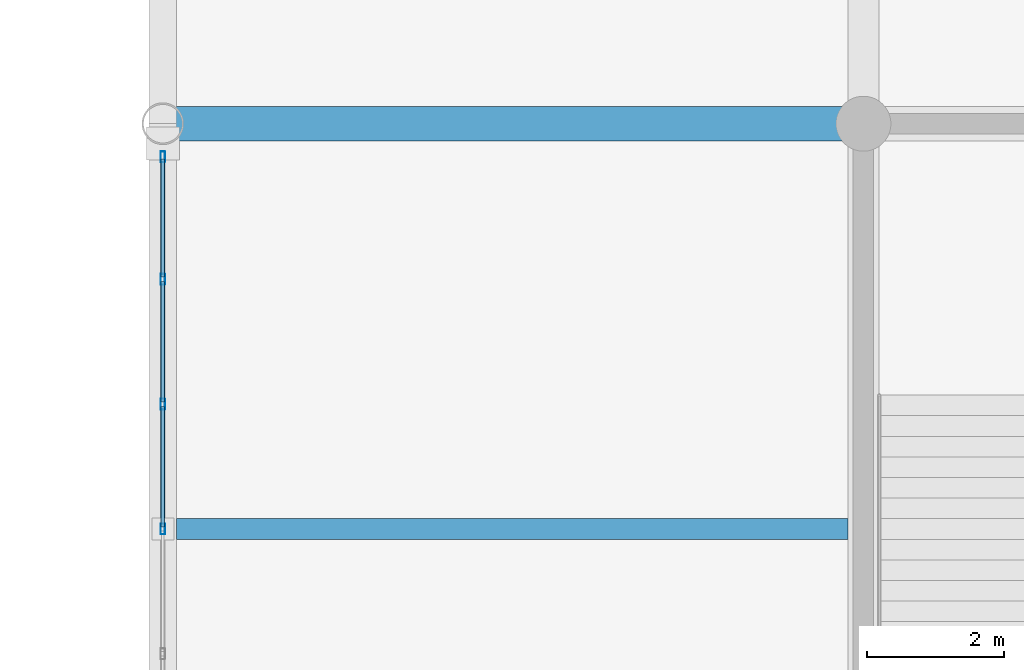
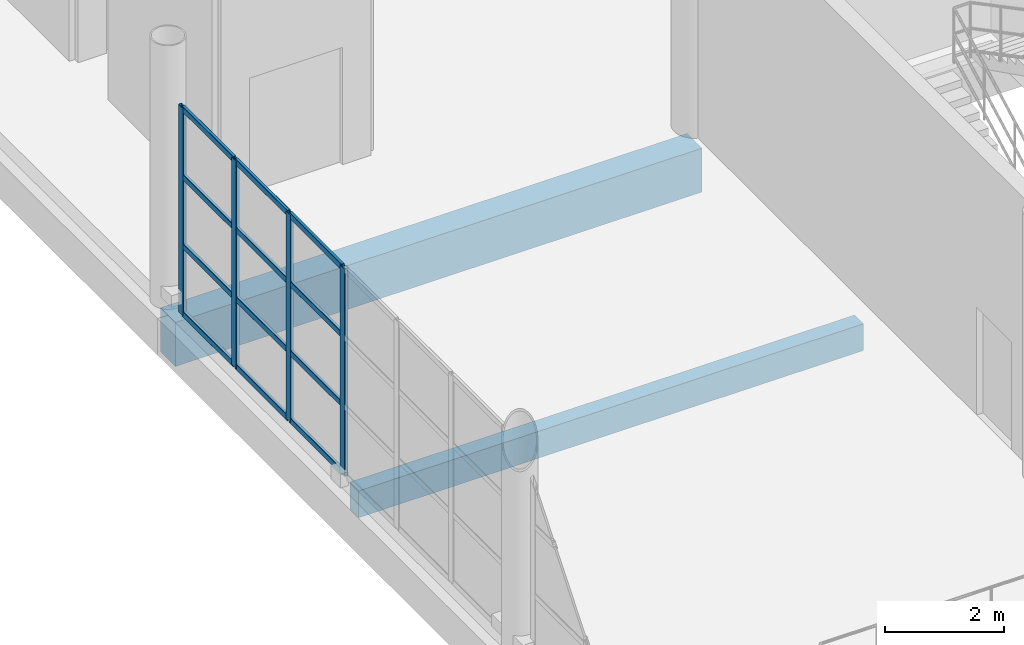
# One storey, part 70 of 175: 16 members, 2 beams, 1 element without a shape of its own.
"""IFC4 building model written with IfcOpenShell, lengths in metres."""

from ifc_helpers import new_model, si_unit, direction, frame, origin, origin_2d, place, context, subcontext, project, spatial, rectangle, hollow_rectangle, extrude, material, material_profile, profile_set, type_object, element, aggregate, save


model = new_model("IFC4")

# Units and contexts
model_context = context("Model", 3, precision=1e-05, world=origin(), true_north=direction((0.0, 1.0)))
body_context = subcontext(model_context, "Body", "Model", "MODEL_VIEW")
ifc_project = project(units=[si_unit("LENGTHUNIT", "METRE"), si_unit("AREAUNIT", "SQUARE_METRE"), si_unit("VOLUMEUNIT", "CUBIC_METRE"), si_unit("PLANEANGLEUNIT", "RADIAN"), si_unit("MASSUNIT", "GRAM", prefix="KILO")], contexts=[model_context])

# Site, building, storey
site_placement = place(None, origin())
site = spatial("IfcSite", under=ifc_project, at=site_placement, CompositionType="ELEMENT")
building_placement = place(site_placement, origin())
building = spatial("IfcBuilding", under=site, at=building_placement, Name="Brelvane Convention Centre", CompositionType="ELEMENT")
storey_placement = place(building_placement, frame((0.0, 0.0, 5.39990234375)))
storey = spatial("IfcBuildingStorey", under=building, at=storey_placement, Name="L01", CompositionType="ELEMENT", Elevation=5.39990234375)

# Curtain wall, members
ifc_material_1 = material(Name="Anodised Aluminium Alloy 6063-T6", Category="aluminium")
curtain_wall_type = type_object("IfcCurtainWallType", Name="Curtain Wall CW-CONC", PredefinedType="USERDEFINED", material=ifc_material_1)
curtain_wall_placement = place(storey_placement, origin())
curtain_wall = element("IfcCurtainWall", 1, at=curtain_wall_placement, inside=storey, type_object=curtain_wall_type, Name="Curtain Wall CW-CONC L01-GAL-ATRIUM-W-4", ObjectType="UNITISED", PredefinedType="USERDEFINED")
ifc_material_2 = material(Name="Anodised Aluminium Alloy 6063-T6", Category="aluminium")
ifc_material_profile_1 = material_profile(ifc_material_2, hollow_rectangle(XDim=0.06494140625, YDim=0.159912109375, WallThickness=0.00390625, InnerFilletRadius=0.00390625, OuterFilletRadius=0.008056640625, at=origin_2d()), Name="ALU-M 160x65x4.0")
ifc_profile_set_1 = profile_set([ifc_material_profile_1], Name="Anodised Aluminium Alloy 6063-T6")
member_type_1 = type_object("IfcMemberType", Name="Curtain Mullion CW-M3", PredefinedType="MULLION", material=ifc_profile_set_1)
member_1_placement = place(storey_placement, frame((142.800048828125, 81.89990234375, 0.0), z_axis=(0.0, 0.0, 1.0), x_axis=(-1.0, 0.0, 0.0)))
member_1 = element("IfcMember", 2, at=member_1_placement, type_object=member_type_1, Name="CW-CONC mullion 4", PredefinedType="MULLION", context=body_context, shape_type="SweptSolid", body=[
    extrude(hollow_rectangle(XDim=0.06494140625, YDim=0.159912109375, WallThickness=0.00390625, InnerFilletRadius=0.00390625, OuterFilletRadius=0.008056640625, at=origin_2d()), origin(), (0.0, 0.0, 1.0), 4.25),
])
member_2_placement = place(storey_placement, frame((142.800048828125, 83.716552734375, 0.0), z_axis=(0.0, 0.0, 1.0), x_axis=(-1.0, 0.0, 0.0)))
member_2 = element("IfcMember", 3, at=member_2_placement, type_object=member_type_1, Name="CW-CONC mullion 5", PredefinedType="MULLION", context=body_context, shape_type="SweptSolid", body=[
    extrude(hollow_rectangle(XDim=0.06494140625, YDim=0.159912109375, WallThickness=0.00390625, InnerFilletRadius=0.00390625, OuterFilletRadius=0.008056640625, at=origin_2d()), origin(), (0.0, 0.0, 1.0), 4.25),
])
member_3_placement = place(storey_placement, frame((142.800048828125, 85.533447265625, 0.0), z_axis=(0.0, 0.0, 1.0), x_axis=(-1.0, 0.0, 0.0)))
member_3 = element("IfcMember", 4, at=member_3_placement, type_object=member_type_1, Name="CW-CONC mullion 6", PredefinedType="MULLION", context=body_context, shape_type="SweptSolid", body=[
    extrude(hollow_rectangle(XDim=0.06494140625, YDim=0.159912109375, WallThickness=0.00390625, InnerFilletRadius=0.00390625, OuterFilletRadius=0.008056640625, at=origin_2d()), origin(), (0.0, 0.0, 1.0), 4.25),
])
member_4_placement = place(storey_placement, frame((142.800048828125, 87.3173828125, 0.0), z_axis=(0.0, 0.0, 1.0), x_axis=(-1.0, 0.0, 0.0)))
member_4 = element("IfcMember", 5, at=member_4_placement, type_object=member_type_1, Name="CW-CONC mullion 7", PredefinedType="MULLION", context=body_context, shape_type="SweptSolid", body=[
    extrude(hollow_rectangle(XDim=0.06494140625, YDim=0.159912109375, WallThickness=0.00390625, InnerFilletRadius=0.00390625, OuterFilletRadius=0.008056640625, at=origin_2d()), origin(), (0.0, 0.0, 1.0), 4.25),
])
ifc_material_3 = material(Name="Anodised Aluminium Alloy 6063-T6", Category="aluminium")
ifc_material_profile_2 = material_profile(ifc_material_3, hollow_rectangle(XDim=0.06005859375, YDim=0.1201171875, WallThickness=0.00390625, InnerFilletRadius=0.00390625, OuterFilletRadius=0.008056640625, at=origin_2d()), Name="ALU-T 120x60x4.0")
ifc_profile_set_2 = profile_set([ifc_material_profile_2], Name="Anodised Aluminium Alloy 6063-T6")
member_type_2 = type_object("IfcMemberType", Name="Curtain Transom CW-T3", PredefinedType="USERDEFINED", material=ifc_profile_set_2)
member_5_placement = place(storey_placement, frame((142.800048828125, 81.9326171875, 0.030029296875), z_axis=(0.0, 1.0, 0.0), x_axis=(-1.0, 0.0, 0.0)))
member_5 = element("IfcMember", 6, at=member_5_placement, type_object=member_type_2, Name="CW-CONC transom 4.1", ObjectType="TRANSOM", PredefinedType="USERDEFINED", context=body_context, shape_type="SweptSolid", body=[
    extrude(hollow_rectangle(XDim=0.06005859375, YDim=0.1201171875, WallThickness=0.00390625, InnerFilletRadius=0.00390625, OuterFilletRadius=0.008056640625, at=origin_2d()), origin(), (0.0, 0.0, 1.0), 1.75146484375),
])
member_6_placement = place(storey_placement, frame((142.800048828125, 81.9326171875, 1.416748046875), z_axis=(0.0, 1.0, 0.0), x_axis=(-1.0, 0.0, 0.0)))
member_6 = element("IfcMember", 7, at=member_6_placement, type_object=member_type_2, Name="CW-CONC transom 4.2", ObjectType="TRANSOM", PredefinedType="USERDEFINED", context=body_context, shape_type="SweptSolid", body=[
    extrude(hollow_rectangle(XDim=0.06005859375, YDim=0.1201171875, WallThickness=0.00390625, InnerFilletRadius=0.00390625, OuterFilletRadius=0.008056640625, at=origin_2d()), origin(), (0.0, 0.0, 1.0), 1.75146484375),
])
member_7_placement = place(storey_placement, frame((142.800048828125, 81.9326171875, 2.83349609375), z_axis=(0.0, 1.0, 0.0), x_axis=(-1.0, 0.0, 0.0)))
member_7 = element("IfcMember", 8, at=member_7_placement, type_object=member_type_2, Name="CW-CONC transom 4.3", ObjectType="TRANSOM", PredefinedType="USERDEFINED", context=body_context, shape_type="SweptSolid", body=[
    extrude(hollow_rectangle(XDim=0.06005859375, YDim=0.1201171875, WallThickness=0.00390625, InnerFilletRadius=0.00390625, OuterFilletRadius=0.008056640625, at=origin_2d()), origin(), (0.0, 0.0, 1.0), 1.75146484375),
])
member_8_placement = place(storey_placement, frame((142.800048828125, 81.9326171875, 4.22021484375), z_axis=(0.0, 1.0, 0.0), x_axis=(-1.0, 0.0, 0.0)))
member_8 = element("IfcMember", 9, at=member_8_placement, type_object=member_type_2, Name="CW-CONC transom 4.4", ObjectType="TRANSOM", PredefinedType="USERDEFINED", context=body_context, shape_type="SweptSolid", body=[
    extrude(hollow_rectangle(XDim=0.06005859375, YDim=0.1201171875, WallThickness=0.00390625, InnerFilletRadius=0.00390625, OuterFilletRadius=0.008056640625, at=origin_2d()), origin(), (0.0, 0.0, 1.0), 1.75146484375),
])
member_9_placement = place(storey_placement, frame((142.800048828125, 83.749267578125, 0.030029296875), z_axis=(0.0, 1.0, 0.0), x_axis=(-1.0, 0.0, 0.0)))
member_9 = element("IfcMember", 10, at=member_9_placement, type_object=member_type_2, Name="CW-CONC transom 5.1", ObjectType="TRANSOM", PredefinedType="USERDEFINED", context=body_context, shape_type="SweptSolid", body=[
    extrude(hollow_rectangle(XDim=0.06005859375, YDim=0.1201171875, WallThickness=0.00390625, InnerFilletRadius=0.00390625, OuterFilletRadius=0.008056640625, at=origin_2d()), origin(), (0.0, 0.0, 1.0), 1.75146484375),
])
member_10_placement = place(storey_placement, frame((142.800048828125, 83.749267578125, 1.416748046875), z_axis=(0.0, 1.0, 0.0), x_axis=(-1.0, 0.0, 0.0)))
member_10 = element("IfcMember", 11, at=member_10_placement, type_object=member_type_2, Name="CW-CONC transom 5.2", ObjectType="TRANSOM", PredefinedType="USERDEFINED", context=body_context, shape_type="SweptSolid", body=[
    extrude(hollow_rectangle(XDim=0.06005859375, YDim=0.1201171875, WallThickness=0.00390625, InnerFilletRadius=0.00390625, OuterFilletRadius=0.008056640625, at=origin_2d()), origin(), (0.0, 0.0, 1.0), 1.75146484375),
])
member_11_placement = place(storey_placement, frame((142.800048828125, 83.749267578125, 2.83349609375), z_axis=(0.0, 1.0, 0.0), x_axis=(-1.0, 0.0, 0.0)))
member_11 = element("IfcMember", 12, at=member_11_placement, type_object=member_type_2, Name="CW-CONC transom 5.3", ObjectType="TRANSOM", PredefinedType="USERDEFINED", context=body_context, shape_type="SweptSolid", body=[
    extrude(hollow_rectangle(XDim=0.06005859375, YDim=0.1201171875, WallThickness=0.00390625, InnerFilletRadius=0.00390625, OuterFilletRadius=0.008056640625, at=origin_2d()), origin(), (0.0, 0.0, 1.0), 1.75146484375),
])
member_12_placement = place(storey_placement, frame((142.800048828125, 83.749267578125, 4.22021484375), z_axis=(0.0, 1.0, 0.0), x_axis=(-1.0, 0.0, 0.0)))
member_12 = element("IfcMember", 13, at=member_12_placement, type_object=member_type_2, Name="CW-CONC transom 5.4", ObjectType="TRANSOM", PredefinedType="USERDEFINED", context=body_context, shape_type="SweptSolid", body=[
    extrude(hollow_rectangle(XDim=0.06005859375, YDim=0.1201171875, WallThickness=0.00390625, InnerFilletRadius=0.00390625, OuterFilletRadius=0.008056640625, at=origin_2d()), origin(), (0.0, 0.0, 1.0), 1.75146484375),
])
member_13_placement = place(storey_placement, frame((142.800048828125, 85.56591796875, 0.030029296875), z_axis=(0.0, 1.0, 0.0), x_axis=(-1.0, 0.0, 0.0)))
member_13 = element("IfcMember", 14, at=member_13_placement, type_object=member_type_2, Name="CW-CONC transom 6.1", ObjectType="TRANSOM", PredefinedType="USERDEFINED", context=body_context, shape_type="SweptSolid", body=[
    extrude(hollow_rectangle(XDim=0.06005859375, YDim=0.1201171875, WallThickness=0.00390625, InnerFilletRadius=0.00390625, OuterFilletRadius=0.008056640625, at=origin_2d()), origin(), (0.0, 0.0, 1.0), 1.718994140625),
])
member_14_placement = place(storey_placement, frame((142.800048828125, 85.56591796875, 1.416748046875), z_axis=(0.0, 1.0, 0.0), x_axis=(-1.0, 0.0, 0.0)))
member_14 = element("IfcMember", 15, at=member_14_placement, type_object=member_type_2, Name="CW-CONC transom 6.2", ObjectType="TRANSOM", PredefinedType="USERDEFINED", context=body_context, shape_type="SweptSolid", body=[
    extrude(hollow_rectangle(XDim=0.06005859375, YDim=0.1201171875, WallThickness=0.00390625, InnerFilletRadius=0.00390625, OuterFilletRadius=0.008056640625, at=origin_2d()), origin(), (0.0, 0.0, 1.0), 1.718994140625),
])
member_15_placement = place(storey_placement, frame((142.800048828125, 85.56591796875, 2.83349609375), z_axis=(0.0, 1.0, 0.0), x_axis=(-1.0, 0.0, 0.0)))
member_15 = element("IfcMember", 16, at=member_15_placement, type_object=member_type_2, Name="CW-CONC transom 6.3", ObjectType="TRANSOM", PredefinedType="USERDEFINED", context=body_context, shape_type="SweptSolid", body=[
    extrude(hollow_rectangle(XDim=0.06005859375, YDim=0.1201171875, WallThickness=0.00390625, InnerFilletRadius=0.00390625, OuterFilletRadius=0.008056640625, at=origin_2d()), origin(), (0.0, 0.0, 1.0), 1.718994140625),
])
member_16_placement = place(storey_placement, frame((142.800048828125, 85.56591796875, 4.22021484375), z_axis=(0.0, 1.0, 0.0), x_axis=(-1.0, 0.0, 0.0)))
member_16 = element("IfcMember", 17, at=member_16_placement, type_object=member_type_2, Name="CW-CONC transom 6.4", ObjectType="TRANSOM", PredefinedType="USERDEFINED", context=body_context, shape_type="SweptSolid", body=[
    extrude(hollow_rectangle(XDim=0.06005859375, YDim=0.1201171875, WallThickness=0.00390625, InnerFilletRadius=0.00390625, OuterFilletRadius=0.008056640625, at=origin_2d()), origin(), (0.0, 0.0, 1.0), 1.718994140625),
])
aggregate(curtain_wall, [member_1, member_2, member_3, member_4, member_5, member_6, member_7, member_8, member_9, member_10, member_11, member_12, member_13, member_14, member_15, member_16])

# Beams
ifc_material_4 = material(Name="Concrete M40", Category="concrete")
ifc_material_profile_3 = material_profile(ifc_material_4, rectangle(XDim=0.5, YDim=0.89990234375, at=origin_2d()), Name="RC 500x900")
ifc_profile_set_3 = profile_set([ifc_material_profile_3], Name="Concrete M40")
beam_type_1 = type_object("IfcBeamType", Name="RC Beam B-RC4 (RC 500x900)", PredefinedType="BEAM", material=ifc_profile_set_3)
beam_1_placement = place(storey_placement, frame((142.800048828125, 87.800048828125, -0.77978515625), z_axis=(1.0, 0.0, 0.0), x_axis=(0.0, 1.0, 0.0)))
element("IfcBeam", 18, at=beam_1_placement, inside=storey, type_object=beam_type_1, Name="L01 Beam 15-16/J", PredefinedType="BEAM", context=body_context, shape_type="SweptSolid", body=[
    extrude(rectangle(XDim=0.5, YDim=0.89990234375, at=origin_2d()), origin(), (0.0, 0.0, 1.0), 10.199951171875),
])
ifc_material_5 = material(Name="Concrete M40", Category="concrete")
ifc_material_profile_4 = material_profile(ifc_material_5, rectangle(XDim=0.300048828125, YDim=0.550048828125, at=origin_2d()), Name="RC 300x550")
ifc_profile_set_4 = profile_set([ifc_material_profile_4], Name="Concrete M40")
beam_type_2 = type_object("IfcBeamType", Name="RC Joist J-RC1 (RC 300x550)", PredefinedType="JOIST", material=ifc_profile_set_4)
beam_2_placement = place(storey_placement, frame((143.0, 81.89990234375, -0.60498046875), z_axis=(1.0, 0.0, 0.0), x_axis=(0.0, 1.0, 0.0)))
element("IfcBeam", 19, at=beam_2_placement, inside=storey, type_object=beam_type_2, Name="L01 Secondary Joist 15-16/HJ", PredefinedType="JOIST", context=body_context, shape_type="SweptSolid", body=[
    extrude(rectangle(XDim=0.300048828125, YDim=0.550048828125, at=origin_2d()), origin(), (0.0, 0.0, 1.0), 9.77490234375),
])

save(model, "model.ifc")
